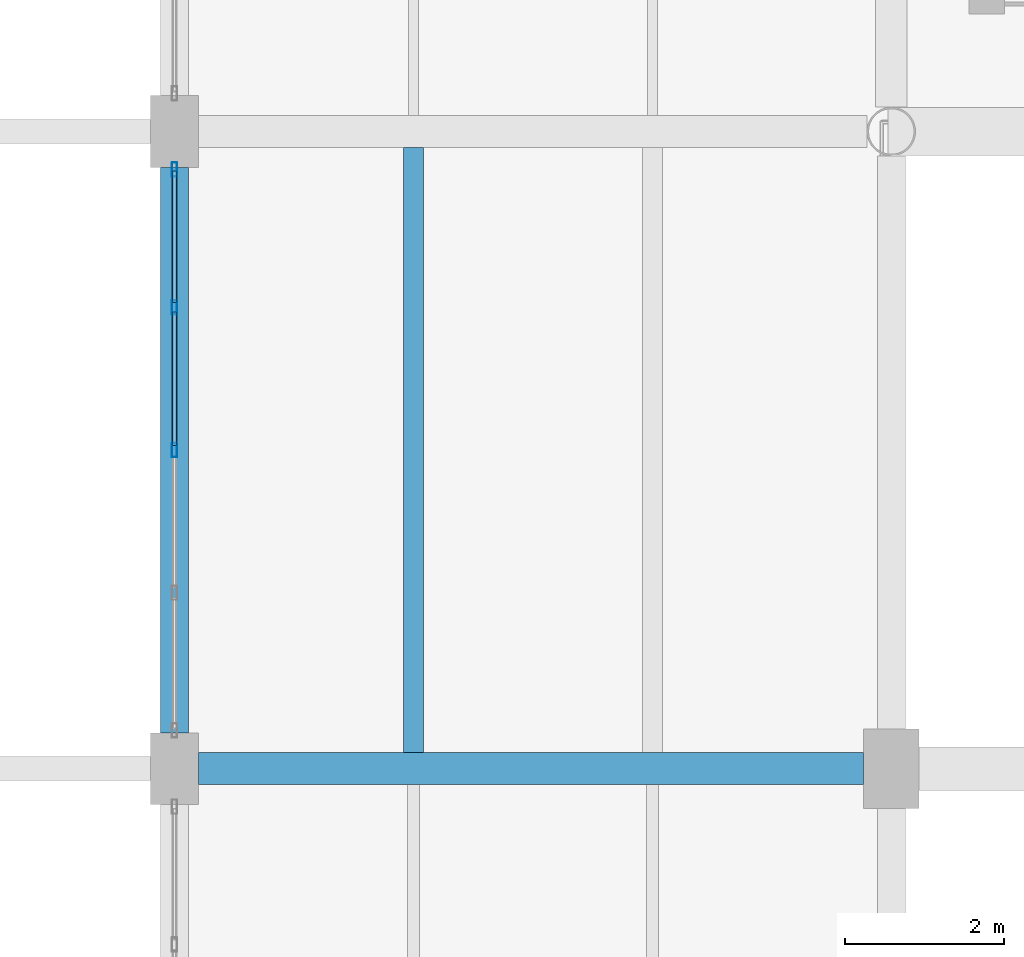
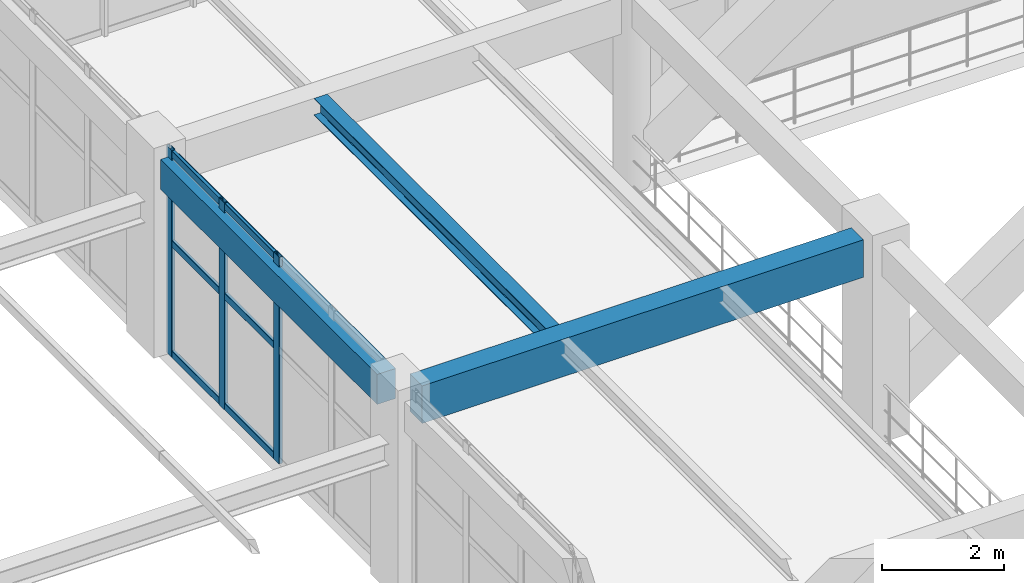
# One storey, part 54 of 148: 9 members, 3 beams, 1 element without a shape of its own.
"""IFC4 building model written with IfcOpenShell, lengths in metres."""

import ifcopenshell
import ifcopenshell.guid

model = None  # the IFC model being written
_history = None  # IfcOwnerHistory: only IFC2X3 demands one
_inside = {}  # id of a spatial element -> (the spatial element, [elements in it])
_under = {}  # id of a project, library or spatial element -> (it, [spatial elements below it])
_declared = {}  # id of a project -> (the project, [libraries it declares])
_typed = {}  # id of a type object -> (the type object, [elements of that type])
_made_of = {}  # id of a material, layer set ... -> (it, [elements and type objects made of it])


def new_model(schema):
    """Start an empty IFC model of exactly this schema.

    Asked for "IFC4X3", IfcOpenShell would pick the latest addendum, in which some entities
    have other attributes; the version numbers below select the first issue.
    IFC2X3 requires an IfcOwnerHistory on every rooted entity: one is made here for all.
    """
    global model, _history
    if schema == "IFC4X3":
        model = ifcopenshell.file(schema_version=(4, 3, 0, 0))
    else:
        model = ifcopenshell.file(schema=schema)
    _inside.clear()
    _under.clear()
    _declared.clear()
    _typed.clear()
    _made_of.clear()
    _history = None
    if model.schema == "IFC2X3":
        org = make("IfcOrganization", Name="unknown")
        user = make(
            "IfcPersonAndOrganization",
            ThePerson=make("IfcPerson", FamilyName="unknown"),
            TheOrganization=org,
        )
        app = make(
            "IfcApplication",
            ApplicationDeveloper=org,
            Version="unknown",
            ApplicationFullName="unknown",
            ApplicationIdentifier="unknown",
        )
        _history = make(
            "IfcOwnerHistory",
            OwningUser=user,
            OwningApplication=app,
            ChangeAction="ADDED",
            CreationDate=0,
        )
    return model


def make(cls, **values):
    """One entity of the class cls with the attributes given. An attribute that is None is left unset."""
    return model.create_entity(
        cls, **{name: value for name, value in values.items() if value is not None}
    )


def rooted(cls, **values):
    """An entity with a GlobalId (a new one), such as an element, a storey or a relation."""
    return make(cls, GlobalId=ifcopenshell.guid.new(), OwnerHistory=_history, **values)


def si_unit(unit_type, name, prefix=None):
    """IfcSIUnit, for example si_unit("LENGTHUNIT", "METRE", prefix="MILLI")."""
    return make("IfcSIUnit", UnitType=unit_type, Prefix=prefix, Name=name)


def derived_unit(unit_type, elements):
    """IfcDerivedUnit: a product of units, each with its exponent."""
    return make(
        "IfcDerivedUnit",
        Elements=[
            make("IfcDerivedUnitElement", Unit=unit, Exponent=power)
            for unit, power in elements
        ],
        UnitType=unit_type,
    )


def assignment(units):
    """IfcUnitAssignment: the units of a project."""
    return None if units is None else make("IfcUnitAssignment", Units=units)


def point(xyz):
    """IfcCartesianPoint."""
    return None if xyz is None else make("IfcCartesianPoint", Coordinates=xyz)


def direction(xyz):
    """IfcDirection."""
    return None if xyz is None else make("IfcDirection", DirectionRatios=xyz)


def frame(location, z_axis=None, x_axis=None):
    """IfcAxis2Placement3D, a coordinate frame: its origin and axes. An axis left out is left unset."""
    return make(
        "IfcAxis2Placement3D",
        Location=point(location),
        Axis=direction(z_axis),
        RefDirection=direction(x_axis),
    )


def frame_2d(location, x_axis=None):
    """IfcAxis2Placement2D, a coordinate frame in the plane: its origin and x axis."""
    return make(
        "IfcAxis2Placement2D", Location=point(location), RefDirection=direction(x_axis)
    )


def origin():
    """The frame at (0, 0, 0) with its axes left unset."""
    return frame((0.0, 0.0, 0.0))


def origin_2d():
    """The frame at (0, 0) in the plane with its x axis left unset."""
    return frame_2d((0.0, 0.0))


def place(relative_to, where):
    """IfcLocalPlacement: puts the frame where relative to a parent placement (None: the world)."""
    return make(
        "IfcLocalPlacement", PlacementRelTo=relative_to, RelativePlacement=where
    )


def context(
    kind, dimensions, precision=None, world=None, true_north=None, identifier=None
):
    """IfcGeometricRepresentationContext, for example the 3D "Model" context."""
    return make(
        "IfcGeometricRepresentationContext",
        ContextIdentifier=identifier,
        ContextType=kind,
        CoordinateSpaceDimension=dimensions,
        Precision=precision,
        WorldCoordinateSystem=world,
        TrueNorth=true_north,
    )


def subcontext(parent, identifier, kind, view, scale=None):
    """IfcGeometricRepresentationSubContext, for example "Body" below "Model"."""
    return make(
        "IfcGeometricRepresentationSubContext",
        ContextIdentifier=identifier,
        ContextType=kind,
        ParentContext=parent,
        TargetScale=scale,
        TargetView=view,
    )


def project(units=None, contexts=None):
    """IfcProject with its units and contexts."""
    return rooted(
        "IfcProject",
        Name="project",
        RepresentationContexts=contexts,
        UnitsInContext=assignment(units),
    )


def spatial(cls, under=None, at=None, **own):
    """A site, building, storey or space (cls), placed at a placement, below another one or the project."""
    s = rooted(cls, ObjectPlacement=at, **own)
    if under is not None:
        _under.setdefault(under.id(), (under, []))[1].append(s)
    return s


def profile(cls, at=None, kind="AREA", **sizes):
    """A parametric profile (cls). Its sizes go by their IFC names, for example OverallWidth=200.0."""
    return make(cls, ProfileType=kind, Position=at, **sizes)


def rectangle(**sizes):
    """IfcRectangleProfileDef."""
    return profile("IfcRectangleProfileDef", **sizes)


def hollow_rectangle(**sizes):
    """IfcRectangleHollowProfileDef."""
    return profile("IfcRectangleHollowProfileDef", **sizes)


def i_section(**sizes):
    """IfcIShapeProfileDef."""
    return profile("IfcIShapeProfileDef", **sizes)


def extrude(swept, where, along, depth):
    """IfcExtrudedAreaSolid: the profile swept, set in the frame where, extruded along a direction by depth."""
    return make(
        "IfcExtrudedAreaSolid",
        SweptArea=swept,
        Position=where,
        ExtrudedDirection=direction(along),
        Depth=depth,
    )


def shape(context_of_items, identifier, shape_type, items):
    """IfcShapeRepresentation: the items that make up one representation, for example the "Body"."""
    return make(
        "IfcShapeRepresentation",
        ContextOfItems=context_of_items,
        RepresentationIdentifier=identifier,
        RepresentationType=shape_type,
        Items=items,
    )


def material(Name=None, Category=None):
    """IfcMaterial."""
    return make("IfcMaterial", Name=Name, Category=Category)


def material_profile(
    of_material, cross_section, Name=None, Category=None, Priority=None
):
    """IfcMaterialProfile: a cross section and its material."""
    return make(
        "IfcMaterialProfile",
        Name=Name,
        Material=of_material,
        Profile=cross_section,
        Priority=Priority,
        Category=Category,
    )


def profile_set(profiles, Name=None, composite=None):
    """IfcMaterialProfileSet."""
    return make(
        "IfcMaterialProfileSet",
        Name=Name,
        MaterialProfiles=profiles,
        CompositeProfile=composite,
    )


def made_of(thing, what):
    """Note that an element or type object is made of a material, layer set ...; save() writes the relation."""
    if what is not None:
        _made_of.setdefault(what.id(), (what, []))[1].append(thing)
    return thing


def type_object(cls, material=None, **own):
    """A type object (cls), such as IfcWallType, which elements share."""
    return made_of(rooted(cls, **own), material)


def element(
    cls,
    number,
    at=None,
    inside=None,
    cuts=None,
    type_object=None,
    material=None,
    context=None,
    identifier="Body",
    shape_type=None,
    held_by="IfcProductDefinitionShape",
    body=None,
    shapes=None,
    **own,
):
    """One element of the class cls, such as IfcWall. Its Tag is "e" and its number.

    at: its placement. inside: the storey or other place that contains it. cuts: it is an
    opening in that element (IfcRelVoidsElement). A single representation is given by context,
    identifier, shape_type and body (its items); several are given by shapes. held_by: the class
    of the entity that holds the representations. save() writes the other relations.
    """
    e = rooted(cls, Tag="e%d" % number, ObjectPlacement=at, **own)
    if body is not None:
        shapes = [shape(context, identifier, shape_type, body)]
    if shapes is not None:
        e.Representation = make(held_by, Representations=shapes)
    if inside is not None:
        _inside.setdefault(inside.id(), (inside, []))[1].append(e)
    if cuts is not None:
        rooted(
            "IfcRelVoidsElement", RelatingBuildingElement=cuts, RelatedOpeningElement=e
        )
    if type_object is not None:
        _typed.setdefault(type_object.id(), (type_object, []))[1].append(e)
    return made_of(e, material)


def aggregate(whole, parts):
    """IfcRelAggregates: a whole, such as a stair, and the parts it consists of."""
    return rooted("IfcRelAggregates", RelatingObject=whole, RelatedObjects=parts)


def save(model, path):
    """Write the relations noted so far, then the file.

    IfcRelAggregates (storeys below a building ...), IfcRelContainedInSpatialStructure (elements
    in a storey), IfcRelDefinesByType, IfcRelAssociatesMaterial and IfcRelDeclares: one each for
    every whole, place, type object, material and project.
    """
    for whole, parts in _under.values():
        aggregate(whole, parts)
    for where, things in _inside.values():
        rooted(
            "IfcRelContainedInSpatialStructure",
            RelatedElements=things,
            RelatingStructure=where,
        )
    for kind, things in _typed.values():
        rooted("IfcRelDefinesByType", RelatedObjects=things, RelatingType=kind)
    for what, things in _made_of.values():
        rooted("IfcRelAssociatesMaterial", RelatedObjects=things, RelatingMaterial=what)
    for by, libraries in _declared.values():
        rooted("IfcRelDeclares", RelatingContext=by, RelatedDefinitions=libraries)
    model.write(path)


model = new_model("IFC4")

# Units and contexts
model_context = context("Model", 3, precision=1e-05, world=origin(), true_north=direction((0.0, 1.0)))
body_context = subcontext(model_context, "Body", "Model", "MODEL_VIEW")
ifc_project = project(units=[si_unit("LENGTHUNIT", "METRE"), si_unit("AREAUNIT", "SQUARE_METRE"), si_unit("VOLUMEUNIT", "CUBIC_METRE"), si_unit("PLANEANGLEUNIT", "RADIAN"), si_unit("MASSUNIT", "GRAM", prefix="KILO"), derived_unit("THERMALTRANSMITTANCEUNIT", [(si_unit("MASSUNIT", "GRAM", prefix="KILO"), 1), (si_unit("TIMEUNIT", "SECOND"), -3), (si_unit("THERMODYNAMICTEMPERATUREUNIT", "KELVIN"), -1)])], contexts=[model_context])

# Site, building, storey
site_placement = place(None, origin())
site = spatial("IfcSite", under=ifc_project, at=site_placement, CompositionType="ELEMENT")
building_placement = place(site_placement, origin())
building = spatial("IfcBuilding", under=site, at=building_placement, Name="Zhenchuan Archway Interchange", CompositionType="ELEMENT")
storey_placement = place(building_placement, frame((0.0, 0.0, 10.199951171875)))
storey = spatial("IfcBuildingStorey", under=building, at=storey_placement, Name="L02", CompositionType="ELEMENT", Elevation=10.199951171875)

# Beam
ifc_material_1 = material(Name="Concrete C40", Category="concrete")
ifc_material_profile_1 = material_profile(ifc_material_1, rectangle(XDim=0.39990234375, YDim=0.75, at=origin_2d()), Name="RC 400x750")
ifc_profile_set_1 = profile_set([ifc_material_profile_1], Name="Concrete C40")
beam_type_1 = type_object("IfcBeamType", Name="BM_RC_400x750", PredefinedType="BEAM", material=ifc_profile_set_1)
beam_1_placement = place(storey_placement, frame((27.300048828125, 72.0, 3.56494140625), z_axis=(1.0, 0.0, 0.0), x_axis=(0.0, 1.0, 0.0)))
element("IfcBeam", 1, at=beam_1_placement, inside=storey, type_object=beam_type_1, Name="Beam K:4-5 (L02)", PredefinedType="BEAM", context=body_context, shape_type="SweptSolid", body=[
    extrude(rectangle(XDim=0.39990234375, YDim=0.75, at=origin_2d()), origin(), (0.0, 0.0, 1.0), 8.349853515625),
])

# Curtain wall, members
ifc_material_2 = material(Name="Anodised Aluminium", Category="aluminium")
curtain_wall_type = type_object("IfcCurtainWallType", Name="CW_UNIT_1", PredefinedType="NOTDEFINED", material=ifc_material_2)
curtain_wall_placement = place(storey_placement, origin())
curtain_wall = element("IfcCurtainWall", 2, at=curtain_wall_placement, inside=storey, type_object=curtain_wall_type, Name="Unitised curtain wall CW:L02:132", PredefinedType="NOTDEFINED")
ifc_material_profile_2 = material_profile(ifc_material_2, hollow_rectangle(XDim=0.070068359375, YDim=0.179931640625, WallThickness=0.00390625, InnerFilletRadius=0.00390625, OuterFilletRadius=0.008056640625, at=origin_2d()), Name="ALU 180x70x4")
ifc_profile_set_2 = profile_set([ifc_material_profile_2], Name="Anodised Aluminium")
member_type_1 = type_object("IfcMemberType", Name="CW_MUL_180", PredefinedType="MULLION", material=ifc_profile_set_2)
member_1_placement = place(storey_placement, frame((27.0, 76.0, 0.0), z_axis=(0.0, 0.0, 1.0), x_axis=(1.0, 0.0, 0.0)))
member_1 = element("IfcMember", 3, at=member_1_placement, type_object=member_type_1, Name="CW:L02:132 mullion 2", PredefinedType="MULLION", context=body_context, shape_type="SweptSolid", body=[
    extrude(hollow_rectangle(XDim=0.070068359375, YDim=0.179931640625, WallThickness=0.00390625, InnerFilletRadius=0.00390625, OuterFilletRadius=0.008056640625, at=origin_2d()), origin(), (0.0, 0.0, 1.0), 4.14013671875),
])
member_2_placement = place(storey_placement, frame((27.0, 77.791015625, 0.0), z_axis=(0.0, 0.0, 1.0), x_axis=(1.0, 0.0, 0.0)))
member_2 = element("IfcMember", 4, at=member_2_placement, type_object=member_type_1, Name="CW:L02:132 mullion 3", PredefinedType="MULLION", context=body_context, shape_type="SweptSolid", body=[
    extrude(hollow_rectangle(XDim=0.070068359375, YDim=0.179931640625, WallThickness=0.00390625, InnerFilletRadius=0.00390625, OuterFilletRadius=0.008056640625, at=origin_2d()), origin(), (0.0, 0.0, 1.0), 4.14013671875),
])
member_3_placement = place(storey_placement, frame((27.0, 79.52197265625, 0.0), z_axis=(0.0, 0.0, 1.0), x_axis=(1.0, 0.0, 0.0)))
member_3 = element("IfcMember", 5, at=member_3_placement, type_object=member_type_1, Name="CW:L02:132 mullion 4", PredefinedType="MULLION", context=body_context, shape_type="SweptSolid", body=[
    extrude(hollow_rectangle(XDim=0.070068359375, YDim=0.179931640625, WallThickness=0.00390625, InnerFilletRadius=0.00390625, OuterFilletRadius=0.008056640625, at=origin_2d()), origin(), (0.0, 0.0, 1.0), 4.14013671875),
])
ifc_material_profile_3 = material_profile(ifc_material_2, hollow_rectangle(XDim=0.06005859375, YDim=0.139892578125, WallThickness=0.00341796875, InnerFilletRadius=0.00341796875, OuterFilletRadius=0.007080078125, at=origin_2d()), Name="ALU 140x60x3.5")
ifc_profile_set_3 = profile_set([ifc_material_profile_3], Name="Anodised Aluminium")
member_type_2 = type_object("IfcMemberType", Name="CW_TRN_140", PredefinedType="USERDEFINED", material=ifc_profile_set_3)
member_4_placement = place(storey_placement, frame((27.0, 76.06005859375, 0.06005859375), z_axis=(0.0, 1.0, 0.0), x_axis=(-1.0, 0.0, 0.0)))
member_4 = element("IfcMember", 6, at=member_4_placement, type_object=member_type_2, Name="CW:L02:132 transom 2-1", ObjectType="TRANSOM", PredefinedType="USERDEFINED", context=body_context, shape_type="SweptSolid", body=[
    extrude(hollow_rectangle(XDim=0.06005859375, YDim=0.139892578125, WallThickness=0.00341796875, InnerFilletRadius=0.00341796875, OuterFilletRadius=0.007080078125, at=origin_2d()), origin(), (0.0, 0.0, 1.0), 1.6708984375),
])
member_5_placement = place(storey_placement, frame((27.0, 76.06005859375, 2.26611328125), z_axis=(0.0, 1.0, 0.0), x_axis=(-1.0, 0.0, 0.0)))
member_5 = element("IfcMember", 7, at=member_5_placement, type_object=member_type_2, Name="CW:L02:132 transom 2-2", ObjectType="TRANSOM", PredefinedType="USERDEFINED", context=body_context, shape_type="SweptSolid", body=[
    extrude(hollow_rectangle(XDim=0.06005859375, YDim=0.139892578125, WallThickness=0.00341796875, InnerFilletRadius=0.00341796875, OuterFilletRadius=0.007080078125, at=origin_2d()), origin(), (0.0, 0.0, 1.0), 1.6708984375),
])
member_6_placement = place(storey_placement, frame((27.0, 76.06005859375, 4.06005859375), z_axis=(0.0, 1.0, 0.0), x_axis=(-1.0, 0.0, 0.0)))
member_6 = element("IfcMember", 8, at=member_6_placement, type_object=member_type_2, Name="CW:L02:132 transom 2-3", ObjectType="TRANSOM", PredefinedType="USERDEFINED", context=body_context, shape_type="SweptSolid", body=[
    extrude(hollow_rectangle(XDim=0.06005859375, YDim=0.139892578125, WallThickness=0.00341796875, InnerFilletRadius=0.00341796875, OuterFilletRadius=0.007080078125, at=origin_2d()), origin(), (0.0, 0.0, 1.0), 1.6708984375),
])
member_7_placement = place(storey_placement, frame((27.0, 77.85107421875, 0.06005859375), z_axis=(0.0, 1.0, 0.0), x_axis=(-1.0, 0.0, 0.0)))
member_7 = element("IfcMember", 9, at=member_7_placement, type_object=member_type_2, Name="CW:L02:132 transom 3-1", ObjectType="TRANSOM", PredefinedType="USERDEFINED", context=body_context, shape_type="SweptSolid", body=[
    extrude(hollow_rectangle(XDim=0.06005859375, YDim=0.139892578125, WallThickness=0.00341796875, InnerFilletRadius=0.00341796875, OuterFilletRadius=0.007080078125, at=origin_2d()), origin(), (0.0, 0.0, 1.0), 1.65087890625),
])
member_8_placement = place(storey_placement, frame((27.0, 77.85107421875, 2.26611328125), z_axis=(0.0, 1.0, 0.0), x_axis=(-1.0, 0.0, 0.0)))
member_8 = element("IfcMember", 10, at=member_8_placement, type_object=member_type_2, Name="CW:L02:132 transom 3-2", ObjectType="TRANSOM", PredefinedType="USERDEFINED", context=body_context, shape_type="SweptSolid", body=[
    extrude(hollow_rectangle(XDim=0.06005859375, YDim=0.139892578125, WallThickness=0.00341796875, InnerFilletRadius=0.00341796875, OuterFilletRadius=0.007080078125, at=origin_2d()), origin(), (0.0, 0.0, 1.0), 1.65087890625),
])
member_9_placement = place(storey_placement, frame((27.0, 77.85107421875, 4.06005859375), z_axis=(0.0, 1.0, 0.0), x_axis=(-1.0, 0.0, 0.0)))
member_9 = element("IfcMember", 11, at=member_9_placement, type_object=member_type_2, Name="CW:L02:132 transom 3-3", ObjectType="TRANSOM", PredefinedType="USERDEFINED", context=body_context, shape_type="SweptSolid", body=[
    extrude(hollow_rectangle(XDim=0.06005859375, YDim=0.139892578125, WallThickness=0.00341796875, InnerFilletRadius=0.00341796875, OuterFilletRadius=0.007080078125, at=origin_2d()), origin(), (0.0, 0.0, 1.0), 1.65087890625),
])
aggregate(curtain_wall, [member_1, member_2, member_3, member_4, member_5, member_6, member_7, member_8, member_9])

# Beams
ifc_material_3 = material(Name="Steel Q355", Category="steel")
ifc_material_profile_4 = material_profile(ifc_material_3, i_section(OverallWidth=0.25, OverallDepth=0.340087890625, WebThickness=0.009033203125, FlangeThickness=0.013916015625, FilletRadius=0.01806640625, at=origin_2d()), Name="HM 340x250")
ifc_profile_set_4 = profile_set([ifc_material_profile_4], Name="Steel Q355")
beam_type_2 = type_object("IfcBeamType", Name="JST_STL_HM340", PredefinedType="JOIST", material=ifc_profile_set_4)
beam_2_placement = place(storey_placement, frame((30.0, 72.199951171875, 3.77001953125), z_axis=(0.0, 1.0, 0.0), x_axis=(-1.0, 0.0, 0.0)))
element("IfcBeam", 12, at=beam_2_placement, inside=storey, type_object=beam_type_2, Name="Secondary joist 4-5/K-L #1 (L02)", PredefinedType="JOIST", context=body_context, shape_type="SweptSolid", body=[
    extrude(i_section(OverallWidth=0.25, OverallDepth=0.340087890625, WebThickness=0.009033203125, FlangeThickness=0.013916015625, FilletRadius=0.01806640625, at=origin_2d()), origin(), (0.0, 0.0, 1.0), 7.60009765625),
])
ifc_material_profile_5 = material_profile(ifc_material_1, rectangle(XDim=0.35009765625, YDim=0.60009765625, at=origin_2d()), Name="RC 350x600")
ifc_profile_set_5 = profile_set([ifc_material_profile_5], Name="Concrete C40")
beam_type_3 = type_object("IfcBeamType", Name="SP_RC_350x600", PredefinedType="SPANDREL", material=ifc_profile_set_5)
beam_3_placement = place(storey_placement, frame((27.0, 72.449951171875, 3.64013671875), z_axis=(0.0, 1.0, 0.0), x_axis=(-1.0, 0.0, 0.0)))
element("IfcBeam", 13, at=beam_3_placement, inside=storey, type_object=beam_type_3, Name="Beam 4:K-L (L02)", PredefinedType="SPANDREL", context=body_context, shape_type="SweptSolid", body=[
    extrude(rectangle(XDim=0.35009765625, YDim=0.60009765625, at=origin_2d()), origin(), (0.0, 0.0, 1.0), 7.10009765625),
])

save(model, "model.ifc")
